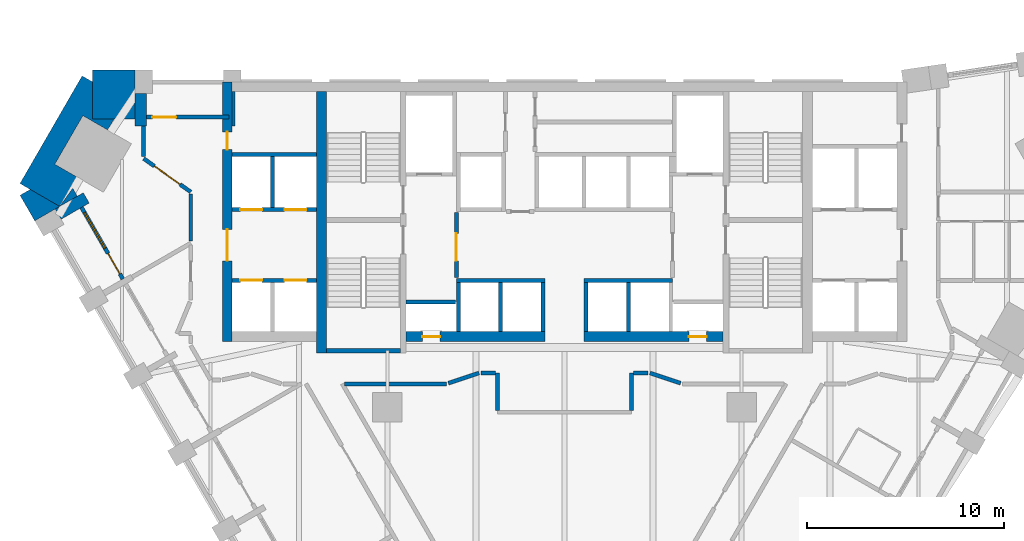
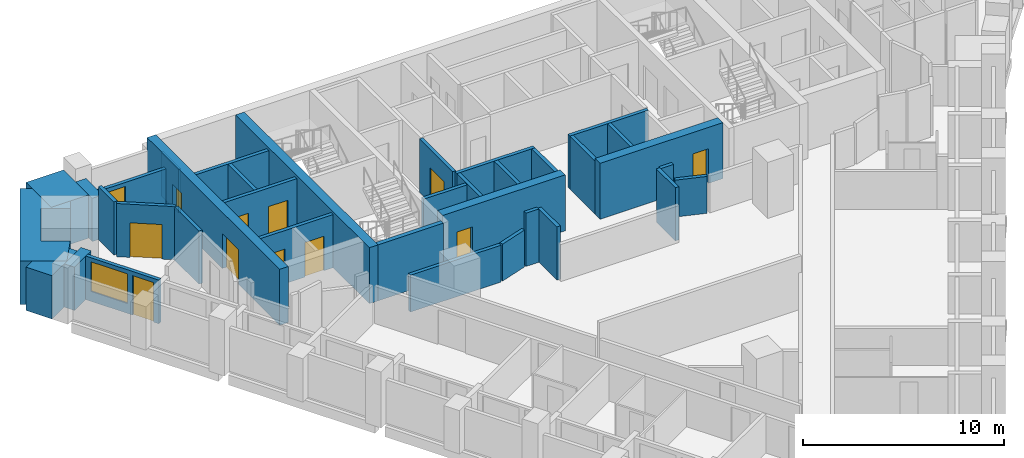
# One storey, part 6 of 11: 37 walls, 12 doors, 1 window, 13 openings.
"""IFC4 building model written with IfcOpenShell, lengths in metres."""

from ifc_helpers import new_model, si_unit, direction, frame, frame_2d, origin, place, context, subcontext, project, spatial, polyline, rectangle, outline, extrude, material, layer, layer_set, type_object, element, fill, save


model = new_model("IFC4")

# Units and contexts
model_context = context("Model", 3, precision=1e-05, world=origin(), true_north=direction((0.0, 1.0)))
body_context = subcontext(model_context, "Body", "Model", "MODEL_VIEW")
ifc_project = project(units=[si_unit("LENGTHUNIT", "METRE"), si_unit("AREAUNIT", "SQUARE_METRE"), si_unit("VOLUMEUNIT", "CUBIC_METRE"), si_unit("PLANEANGLEUNIT", "RADIAN"), si_unit("MASSUNIT", "GRAM", prefix="KILO")], contexts=[model_context])

# Site, building, storey
site_placement = place(None, origin())
site = spatial("IfcSite", under=ifc_project, at=site_placement, CompositionType="ELEMENT")
building_placement = place(site_placement, origin())
building = spatial("IfcBuilding", under=site, at=building_placement, Name="Calabash Gate Tower", CompositionType="ELEMENT")
storey_placement = place(building_placement, frame((0.0, 0.0, 129.199951171875)))
storey = spatial("IfcBuildingStorey", under=building, at=storey_placement, Name="L30", CompositionType="ELEMENT", Elevation=129.199951171875)

# Walls
ifc_material_1 = material(Name="Terracotta brick masonry, exposed face", Category="masonry")
ifc_layer_1 = layer(ifc_material_1, 2.5)
ifc_layer_set_1 = layer_set([ifc_layer_1], Name="Brick corner mass wall 2500")
wall_type_1 = type_object("IfcWallType", Name="Brick corner mass wall 2500", PredefinedType="SOLIDWALL", material=ifc_layer_set_1)
wall_1_placement = place(storey_placement, origin())
element("IfcWall", 1, at=wall_1_placement, inside=storey, type_object=wall_type_1, Name="Brick corner pier S08 3a", PredefinedType="SOLIDWALL", context=body_context, shape_type="SweptSolid", body=[
    extrude(outline(polyline([(-24.00390625, 17.152587890625), (-21.846923828125, 17.152587890625), (-21.846923828125, 18.452880859375), (-21.846923828125, 18.452880859375), (-21.846923828125, 19.652587890625), (-24.00390625, 19.652587890625), (-24.00390625, 17.152587890625)])), origin(), (0.0, 0.0, 1.0), 2.630126953125),
])
wall_2_placement = place(storey_placement, origin())
element("IfcWall", 2, at=wall_2_placement, inside=storey, type_object=wall_type_1, Name="Brick corner pier S08 3b", PredefinedType="SOLIDWALL", context=body_context, shape_type="SweptSolid", body=[
    extrude(outline(polyline([(-23.22509765625, 16.601318359375), (-22.906982421875, 17.152587890625), (-24.00390625, 17.152587890625), (-24.00390625, 19.052490234375), (-24.5234375, 19.3525390625), (-27.68212890625, 13.8818359375), (-25.6640625, 12.716796875), (-24.650146484375, 14.13330078125), (-25.90966796875, 14.8603515625), (-24.484619140625, 17.32861328125), (-23.22509765625, 16.601318359375)])), origin(), (0.0, 0.0, 1.0), 2.630126953125),
])
wall_3_placement = place(storey_placement, origin())
element("IfcWall", 3, at=wall_3_placement, inside=storey, type_object=wall_type_1, Name="Brick corner pier S08 3ca", PredefinedType="SOLIDWALL", context=body_context, shape_type="SweptSolid", body=[
    extrude(outline(polyline([(-27.162353515625, 13.581787109375), (-27.68212890625, 13.28173828125), (-26.932861328125, 11.984130859375), (-25.6640625, 12.716796875), (-27.162353515625, 13.581787109375)])), origin(), (0.0, 0.0, 1.0), 2.630126953125),
])
wall_4_placement = place(storey_placement, origin())
element("IfcWall", 4, at=wall_4_placement, inside=storey, type_object=wall_type_1, Name="Brick corner pier S08 3cb", PredefinedType="SOLIDWALL", context=body_context, shape_type="SweptSolid", body=[
    extrude(outline(polyline([(-24.767822265625, 13.234130859375), (-25.00244140625, 13.640869140625), (-25.6640625, 12.716796875), (-24.767822265625, 13.234130859375)])), origin(), (0.0, 0.0, 1.0), 2.630126953125),
])
ifc_material_2 = material(Name="Terracotta brick masonry, exposed face", Category="masonry")
ifc_layer_2 = layer(ifc_material_2, 0.300048828125)
ifc_layer_set_2 = layer_set([ifc_layer_2], Name="Brick loggia cheek wall 300")
wall_type_2 = type_object("IfcWallType", Name="Brick loggia cheek wall 300", PredefinedType="SOLIDWALL", material=ifc_layer_set_2)
wall_5_placement = place(storey_placement, frame((-25.74365234375, 12.32421875, 0.0), z_axis=(0.0, 0.0, 1.0), x_axis=(0.865976140824, 0.500085316245, 0.0)))
element("IfcWall", 5, at=wall_5_placement, inside=storey, type_object=wall_type_2, Name="Loggia cheek S08 SW0.0", PredefinedType="SOLIDWALL", context=body_context, shape_type="SweptSolid", body=[
    extrude(rectangle(XDim=1.650146484375, YDim=0.60009765625, at=frame_2d((0.8251953125, 0.0))), origin(), (0.0, 0.0, 1.0), 2.630126953125),
])
wall_6_placement = place(storey_placement, origin())
element("IfcWall", 6, at=wall_6_placement, inside=storey, type_object=wall_type_2, Name="Loggia cheek S08 N6.7", PredefinedType="SOLIDWALL", context=body_context, shape_type="SweptSolid", body=[
    extrude(outline(polyline([(-16.89990234375, 18.5546875), (-16.746826171875, 18.5546875), (-16.746826171875, 16.802490234375), (-16.89990234375, 16.802490234375), (-16.89990234375, 18.5546875)])), origin(), (0.0, 0.0, 1.0), 2.650146484375),
])
wall_7_placement = place(storey_placement, origin())
element("IfcWall", 7, at=wall_7_placement, inside=storey, type_object=wall_type_2, Name="Loggia cheek S08 N6.8", PredefinedType="SOLIDWALL", context=body_context, shape_type="SweptSolid", body=[
    extrude(outline(polyline([(-21.846923828125, 18.45263671875), (-21.846923828125, 16.802490234375), (-21.246826171875, 16.802490234375), (-21.246826171875, 18.45263671875), (-21.846923828125, 18.45263671875)])), origin(), (0.0, 0.0, 1.0), 2.630126953125),
])
ifc_material_3 = material(Name="Concrete C80/95", Category="concrete")
ifc_layer_3 = layer(ifc_material_3, 0.25)
ifc_layer_set_3 = layer_set([ifc_layer_3], Name="Core wall 250 Concrete C80/95")
wall_type_3 = type_object("IfcWallType", Name="Core wall 250 Concrete C80/95", PredefinedType="SHEAR", material=ifc_layer_set_3)
wall_8_placement = place(storey_placement, frame((-12.10009765625, 5.377685546875, 0.0), z_axis=(0.0, 0.0, 1.0), x_axis=(1.0, 0.0, 0.0)))
element("IfcWall", 8, at=wall_8_placement, inside=storey, type_object=wall_type_3, Name="Core wall Z2-SSW L30", PredefinedType="SHEAR", context=body_context, shape_type="SweptSolid", body=[
    extrude(rectangle(XDim=3.75, YDim=0.25, at=frame_2d((1.875, 0.0))), origin(), (0.0, 0.0, 1.0), 3.400146484375),
])
ifc_material_4 = material(Name="Concrete C80/95", Category="concrete")
ifc_layer_4 = layer(ifc_material_4, 0.5)
ifc_layer_set_4 = layer_set([ifc_layer_4], Name="Core wall 500 Concrete C80/95")
wall_type_4 = type_object("IfcWallType", Name="Core wall 500 Concrete C80/95", PredefinedType="SHEAR", material=ifc_layer_set_4)
wall_9_placement = place(storey_placement, frame((-12.35009765625, 5.252685546875, 0.0), z_axis=(0.0, 0.0, 1.0), x_axis=(0.0, 1.0, 0.0)))
element("IfcWall", 9, at=wall_9_placement, inside=storey, type_object=wall_type_4, Name="Core wall Z2-COLW L30", PredefinedType="SHEAR", context=body_context, shape_type="SweptSolid", body=[
    extrude(rectangle(XDim=13.2998046875, YDim=0.5, at=frame_2d((6.64990234375, 0.0))), origin(), (0.0, 0.0, 1.0), 3.400146484375),
])

# Wall, opening, door
wall_10_placement = place(storey_placement, frame((-8.050048828125, 6.1025390625, 0.0), z_axis=(0.0, 0.0, 1.0), x_axis=(1.0, 0.0, 0.0)))
wall_10 = element("IfcWall", 10, at=wall_10_placement, inside=storey, type_object=wall_type_4, Name="Core wall Z2-SA L30", PredefinedType="SHEAR", context=body_context, shape_type="SweptSolid", body=[
    extrude(rectangle(XDim=7.050048828125, YDim=0.5, at=frame_2d((3.52490234375, 0.0))), origin(), (0.0, 0.0, 1.0), 3.400146484375),
])
opening_1_placement = place(wall_10_placement, frame((0.824951171875, 0.0, 0.0)))
opening_1 = element("IfcOpeningElement", 11, at=opening_1_placement, cuts=wall_10, Name="Opening H8-012", PredefinedType="OPENING", context=body_context, shape_type="SweptSolid", body=[
    extrude(rectangle(XDim=0.89990234375, YDim=2.10009765625, at=frame_2d((0.449951171875, 1.050048828125))), frame((0.0, 0.260009765625, 0.0), z_axis=(0.0, -1.0, 0.0), x_axis=(1.0, 0.0, 0.0)), (0.0, 0.0, 1.0), 0.52001953125),
])
ifc_material_5 = material(Name="Steel fire door set with fire-resisting glazing", Category="steel")
door_type_1 = type_object("IfcDoorType", Name="Fire door D07 900x2100 FD90", OperationType="NOTDEFINED", PredefinedType="DOOR", material=ifc_material_5)
door_1_placement = place(opening_1_placement, origin())
door_1 = element("IfcDoor", 12, at=door_1_placement, inside=storey, type_object=door_type_1, Name="Electrical Riser W door", OperationType="SINGLE_SWING_LEFT", OverallHeight=2.10009765625, OverallWidth=0.89990234375, PredefinedType="DOOR", context=body_context, shape_type="SweptSolid", body=[
    extrude(rectangle(XDim=0.89990234375, YDim=2.10009765625, at=frame_2d((0.449951171875, 1.050048828125))), frame((0.0, 0.02490234375, 0.0), z_axis=(0.0, -1.0, 0.0), x_axis=(1.0, 0.0, 0.0)), (0.0, 0.0, 1.0), 0.050048828125),
])
fill(opening_1, door_1)

wall_11_placement = place(storey_placement, frame((1.0, 6.1025390625, 0.0), z_axis=(0.0, 0.0, 1.0), x_axis=(1.0, 0.0, 0.0)))
wall_11 = element("IfcWall", 13, at=wall_11_placement, inside=storey, type_object=wall_type_4, Name="Core wall Z2-SB L30", PredefinedType="SHEAR", context=body_context, shape_type="SweptSolid", body=[
    extrude(rectangle(XDim=7.050048828125, YDim=0.5, at=frame_2d((3.52490234375, 0.0))), origin(), (0.0, 0.0, 1.0), 3.400146484375),
])
opening_2_placement = place(wall_11_placement, frame((5.324951171875, 0.0, 0.0)))
opening_2 = element("IfcOpeningElement", 14, at=opening_2_placement, cuts=wall_11, Name="Opening H8-011", PredefinedType="OPENING", context=body_context, shape_type="SweptSolid", body=[
    extrude(rectangle(XDim=0.89990234375, YDim=2.10009765625, at=frame_2d((0.449951171875, 1.050048828125))), frame((0.0, 0.260009765625, 0.0), z_axis=(0.0, -1.0, 0.0), x_axis=(1.0, 0.0, 0.0)), (0.0, 0.0, 1.0), 0.52001953125),
])
door_2_placement = place(opening_2_placement, origin())
door_2 = element("IfcDoor", 15, at=door_2_placement, inside=storey, type_object=door_type_1, Name="Mechanical Riser E door", OperationType="SINGLE_SWING_RIGHT", OverallHeight=2.10009765625, OverallWidth=0.89990234375, PredefinedType="DOOR", context=body_context, shape_type="SweptSolid", body=[
    extrude(rectangle(XDim=0.89990234375, YDim=2.10009765625, at=frame_2d((0.449951171875, 1.050048828125))), frame((0.0, 0.02490234375, 0.0), z_axis=(0.0, -1.0, 0.0), x_axis=(1.0, 0.0, 0.0)), (0.0, 0.0, 1.0), 0.050048828125),
])
fill(opening_2, door_2)

# Wall, openings, doors
wall_12_placement = place(storey_placement, frame((-17.14990234375, 5.8525390625, 0.0), z_axis=(0.0, 0.0, 1.0), x_axis=(0.0, 1.0, 0.0)))
wall_12 = element("IfcWall", 16, at=wall_12_placement, inside=storey, type_object=wall_type_4, Name="Core wall Z2-ENDW L30", PredefinedType="SHEAR", context=body_context, shape_type="SweptSolid", body=[
    extrude(rectangle(XDim=13.199951171875, YDim=0.5, at=frame_2d((6.60009765625, 0.0))), origin(), (0.0, 0.0, 1.0), 3.400146484375),
])
opening_3_placement = place(wall_12_placement, frame((4.10009765625, 0.0, 0.0)))
opening_3 = element("IfcOpeningElement", 17, at=opening_3_placement, cuts=wall_12, Name="Opening H8-003", PredefinedType="OPENING", context=body_context, shape_type="SweptSolid", body=[
    extrude(rectangle(XDim=1.60009765625, YDim=2.10009765625, at=frame_2d((0.800048828125, 1.050048828125))), frame((0.0, 0.260009765625, 0.0), z_axis=(0.0, -1.0, 0.0), x_axis=(1.0, 0.0, 0.0)), (0.0, 0.0, 1.0), 0.52001953125),
])
opening_4_placement = place(wall_12_placement, frame((9.75, 0.0, 0.0)))
opening_4 = element("IfcOpeningElement", 18, at=opening_4_placement, cuts=wall_12, Name="Opening H8-004", PredefinedType="OPENING", context=body_context, shape_type="SweptSolid", body=[
    extrude(rectangle(XDim=0.89990234375, YDim=2.10009765625, at=frame_2d((0.449951171875, 1.050048828125))), frame((0.0, 0.260009765625, 0.0), z_axis=(0.0, -1.0, 0.0), x_axis=(1.0, 0.0, 0.0)), (0.0, 0.0, 1.0), 0.52001953125),
])
ifc_material_6 = material(Name="Steel fire door set with fire-resisting glazing", Category="steel")
door_type_2 = type_object("IfcDoorType", Name="Double fire door D08 1600x2100 FD60", OperationType="DOUBLE_DOOR_SINGLE_SWING", PredefinedType="DOOR", material=ifc_material_6)
door_3_placement = place(opening_3_placement, origin())
door_3 = element("IfcDoor", 19, at=door_3_placement, inside=storey, type_object=door_type_2, Name="Low-rise Lift Lobby W door", OperationType="DOUBLE_DOOR_SINGLE_SWING", OverallHeight=2.10009765625, OverallWidth=1.60009765625, PredefinedType="DOOR", context=body_context, shape_type="SweptSolid", body=[
    extrude(rectangle(XDim=1.60009765625, YDim=2.10009765625, at=frame_2d((0.800048828125, 1.050048828125))), frame((0.0, 0.02490234375, 0.0), z_axis=(0.0, -1.0, 0.0), x_axis=(1.0, 0.0, 0.0)), (0.0, 0.0, 1.0), 0.050048828125),
])
fill(opening_3, door_3)
ifc_material_7 = material(Name="Steel fire door set with fire-resisting glazing", Category="steel")
door_type_3 = type_object("IfcDoorType", Name="Fire door D06 900x2100 FD60", OperationType="NOTDEFINED", PredefinedType="DOOR", material=ifc_material_7)
door_4_placement = place(opening_4_placement, origin())
door_4 = element("IfcDoor", 20, at=door_4_placement, inside=storey, type_object=door_type_3, Name="Luggage Store door", OperationType="SINGLE_SWING_RIGHT", OverallHeight=2.10009765625, OverallWidth=0.89990234375, PredefinedType="DOOR", context=body_context, shape_type="SweptSolid", body=[
    extrude(rectangle(XDim=0.89990234375, YDim=2.10009765625, at=frame_2d((0.449951171875, 1.050048828125))), frame((0.0, 0.02490234375, 0.0), z_axis=(0.0, -1.0, 0.0), x_axis=(1.0, 0.0, 0.0)), (0.0, 0.0, 1.0), 0.050048828125),
])
fill(opening_4, door_4)

# Walls
ifc_material_8 = material(Name="Gypsum board on steel studs, mineral wool", Category="steel")
ifc_layer_5 = layer(ifc_material_8, 0.199951171875)
ifc_layer_set_5 = layer_set([ifc_layer_5], Name="Partition 200 gypsum board EI 60")
wall_type_5 = type_object("IfcWallType", Name="Partition 200 gypsum board EI 60", PredefinedType="PARTITIONING", material=ifc_layer_set_5)
wall_13_placement = place(storey_placement, frame((-3.402099609375, 4.25048828125, 0.0), z_axis=(0.0, 0.0, 1.0), x_axis=(0.001028938362, -0.999999470643, 0.0)))
element("IfcWall", 21, at=wall_13_placement, inside=storey, type_object=wall_type_5, Name="Partition", PredefinedType="PARTITIONING", context=body_context, shape_type="SweptSolid", body=[
    extrude(rectangle(XDim=1.898193359375, YDim=0.199951171875, at=frame_2d((0.94921875, 0.0))), origin(), (0.0, 0.0, 1.0), 3.22998046875),
])
wall_14_placement = place(storey_placement, frame((-11.1953125, 3.69970703125, 0.0), z_axis=(0.0, 0.0, 1.0), x_axis=(1.0, 0.0, 0.0)))
element("IfcWall", 22, at=wall_14_placement, inside=storey, type_object=wall_type_5, Name="Partition", PredefinedType="PARTITIONING", context=body_context, shape_type="SweptSolid", body=[
    extrude(rectangle(XDim=5.1953125, YDim=0.199951171875, at=frame_2d((2.59765625, 0.0))), origin(), (0.0, 0.0, 1.0), 2.24169921875),
])
for number, where, z_axis, x_axis, name in (
    (23, (4.34228515625, 4.25244140625, 0.0), (0.0, 0.0, 1.0), (0.948668476379, -0.316272227557, 0.0), "Partition"),
    (24, (-5.905029296875, 3.7314453125, 0.0), (0.0, 0.0, 1.0), (0.948668476379, 0.316272227557, 0.0), "Partition"),
):
    element("IfcWall", number, at=place(storey_placement, frame(where, z_axis=z_axis, x_axis=x_axis)), inside=storey, type_object=wall_type_5, Name=name, PredefinedType="PARTITIONING", context=body_context, shape_type="SweptSolid", body=[
        extrude(rectangle(XDim=1.647216796875, YDim=0.199951171875, at=frame_2d((0.82373046875, 0.0))), origin(), (0.0, 0.0, 1.0), 2.24169921875),
    ])
wall_15_placement = place(storey_placement, frame((-4.2421875, 4.252197265625, 0.0), z_axis=(0.0, 0.0, 1.0), x_axis=(0.999998041999, -0.001978887946, 0.0)))
element("IfcWall", 25, at=wall_15_placement, inside=storey, type_object=wall_type_5, Name="Partition", PredefinedType="PARTITIONING", context=body_context, shape_type="SweptSolid", body=[
    extrude(rectangle(XDim=0.740234375, YDim=0.199951171875, at=frame_2d((0.3701171875, 0.0))), origin(), (0.0, 0.0, 1.0), 3.22998046875),
])
wall_16_placement = place(storey_placement, frame((3.400146484375, 2.352294921875, 0.0), z_axis=(0.0, 0.0, 1.0), x_axis=(0.001028938362, 0.999999470643, 0.0)))
element("IfcWall", 26, at=wall_16_placement, inside=storey, type_object=wall_type_5, Name="Partition", PredefinedType="PARTITIONING", context=body_context, shape_type="SweptSolid", body=[
    extrude(rectangle(XDim=1.898193359375, YDim=0.199951171875, at=frame_2d((0.94921875, 0.0))), origin(), (0.0, 0.0, 1.0), 3.22998046875),
])
wall_17_placement = place(storey_placement, frame((3.501953125, 4.250732421875, 0.0), z_axis=(0.0, 0.0, 1.0), x_axis=(0.999998041999, 0.001978887946, 0.0)))
element("IfcWall", 27, at=wall_17_placement, inside=storey, type_object=wall_type_5, Name="Partition", PredefinedType="PARTITIONING", context=body_context, shape_type="SweptSolid", body=[
    extrude(rectangle(XDim=0.740234375, YDim=0.199951171875, at=frame_2d((0.3701171875, 0.0))), origin(), (0.0, 0.0, 1.0), 3.22998046875),
])
wall_18_placement = place(storey_placement, frame((-19.001953125, 10.947265625, 0.0), z_axis=(0.0, 0.0, 1.0), x_axis=(0.000609075108, 0.999999814514, 0.0)))
element("IfcWall", 28, at=wall_18_placement, inside=storey, type_object=wall_type_5, Name="Partition", PredefinedType="PARTITIONING", context=body_context, shape_type="SweptSolid", body=[
    extrude(rectangle(XDim=2.405029296875, YDim=0.199951171875, at=frame_2d((1.20263671875, 0.0))), origin(), (0.0, 0.0, 1.0), 3.22998046875),
])

# Wall, opening, door
wall_19_placement = place(storey_placement, frame((-21.397216796875, 15.152099609375, 0.0), z_axis=(0.0, 0.0, 1.0), x_axis=(0.815699386654, -0.578476024232, 0.0)))
wall_19 = element("IfcWall", 29, at=wall_19_placement, inside=storey, type_object=wall_type_5, Name="Partition", PredefinedType="PARTITIONING", context=body_context, shape_type="SweptSolid", body=[
    extrude(rectangle(XDim=2.938232421875, YDim=0.199951171875, at=frame_2d((1.46923828125, 0.0))), origin(), (0.0, 0.0, 1.0), 3.22998046875),
])
opening_5_placement = place(wall_19_placement, frame((0.669189453125, 0.0, 0.0)))
opening_5 = element("IfcOpeningElement", 30, at=opening_5_placement, cuts=wall_19, Name="Opening 28-30-020", PredefinedType="OPENING", context=body_context, shape_type="SweptSolid", body=[
    extrude(rectangle(XDim=1.60009765625, YDim=2.10009765625, at=frame_2d((0.800048828125, 1.050048828125))), frame((0.0, 0.10986328125, 0.0), z_axis=(0.0, -1.0, 0.0), x_axis=(1.0, 0.0, 0.0)), (0.0, 0.0, 1.0), 0.219970703125),
])
ifc_material_9 = material(Name="Steel fire door set with fire-resisting glazing", Category="steel")
door_type_4 = type_object("IfcDoorType", Name="LD1 Lounge double door 1600x2100", OperationType="NOTDEFINED", PredefinedType="DOOR", material=ifc_material_9)
door_5_placement = place(opening_5_placement, origin())
door_5 = element("IfcDoor", 31, at=door_5_placement, inside=storey, type_object=door_type_4, Name="Lounge double door", OperationType="DOUBLE_DOOR_SINGLE_SWING", OverallHeight=2.10009765625, OverallWidth=1.60009765625, PredefinedType="DOOR", context=body_context, shape_type="SweptSolid", body=[
    extrude(rectangle(XDim=1.60009765625, YDim=2.10009765625, at=frame_2d((0.800048828125, 1.050048828125))), frame((0.0, 0.02490234375, 0.0), z_axis=(0.0, -1.0, 0.0), x_axis=(1.0, 0.0, 0.0)), (0.0, 0.0, 1.0), 0.050048828125),
])
fill(opening_5, door_5)

# Walls
wall_20_placement = place(storey_placement, frame((-21.3974609375, 16.802490234375, 0.0), z_axis=(0.0, 0.0, 1.0), x_axis=(0.000157480313, -0.9999999876, 0.0)))
element("IfcWall", 32, at=wall_20_placement, inside=storey, type_object=wall_type_5, Name="Partition", PredefinedType="PARTITIONING", context=body_context, shape_type="SweptSolid", body=[
    extrude(rectangle(XDim=1.55029296875, YDim=0.199951171875, at=frame_2d((0.775146484375, 0.0))), origin(), (0.0, 0.0, 1.0), 3.22998046875),
])
ifc_material_10 = material(Name="Concrete C40/50", Category="concrete")
ifc_layer_6 = layer(ifc_material_10, 0.199951171875)
ifc_layer_set_6 = layer_set([ifc_layer_6], Name="Shaft wall 200 Concrete C40/50")
wall_type_6 = type_object("IfcWallType", Name="Shaft wall 200 Concrete C40/50", PredefinedType="SOLIDWALL", material=ifc_layer_set_6)
for number, where, z_axis, x_axis, name in (
    (33, (-5.39990234375, 6.3525390625, 0.0), (0.0, 0.0, 1.0), (0.0, 1.0, 0.0), "Shaft wall"),
    (34, (-3.25, 6.3525390625, 0.0), (0.0, 0.0, 1.0), (0.0, 1.0, 0.0), "Shaft wall"),
    (35, (-1.10009765625, 6.3525390625, 0.0), (0.0, 0.0, 1.0), (0.0, 1.0, 0.0), "Shaft wall"),
    (36, (1.10009765625, 6.3525390625, 0.0), (0.0, 0.0, 1.0), (0.0, 1.0, 0.0), "Shaft wall"),
    (37, (3.25, 6.3525390625, 0.0), (0.0, 0.0, 1.0), (0.0, 1.0, 0.0), "Shaft wall"),
    (38, (-8.050048828125, 7.8525390625, 0.0), (0.0, 0.0, 1.0), (1.0, 0.0, 0.0), "Shaft wall"),
):
    element("IfcWall", number, at=place(storey_placement, frame(where, z_axis=z_axis, x_axis=x_axis)), inside=storey, type_object=wall_type_6, Name=name, PredefinedType="SOLIDWALL", context=body_context, shape_type="SweptSolid", body=[
        extrude(rectangle(XDim=2.5, YDim=0.199951171875, at=frame_2d((1.25, 0.0))), origin(), (0.0, 0.0, 1.0), 3.22998046875),
    ])

# Wall, openings, doors
wall_21_placement = place(storey_placement, frame((-16.89990234375, 8.95263671875, 0.0), z_axis=(0.0, 0.0, 1.0), x_axis=(1.0, 0.0, 0.0)))
wall_21 = element("IfcWall", 39, at=wall_21_placement, inside=storey, type_object=wall_type_6, Name="Shaft wall", PredefinedType="SOLIDWALL", context=body_context, shape_type="SweptSolid", body=[
    extrude(rectangle(XDim=4.2998046875, YDim=0.199951171875, at=frame_2d((2.14990234375, 0.0))), origin(), (0.0, 0.0, 1.0), 3.22998046875),
])
opening_6_placement = place(wall_21_placement, frame((2.675048828125, 0.0, 0.0)))
opening_6 = element("IfcOpeningElement", 40, at=opening_6_placement, cuts=wall_21, Name="Opening LD-LR1", PredefinedType="OPENING", context=body_context, shape_type="SweptSolid", body=[
    extrude(rectangle(XDim=1.10009765625, YDim=2.10009765625, at=frame_2d((0.550048828125, 1.050048828125))), frame((0.0, 0.10986328125, 0.0), z_axis=(0.0, -1.0, 0.0), x_axis=(1.0, 0.0, 0.0)), (0.0, 0.0, 1.0), 0.219970703125),
])
opening_7_placement = place(wall_21_placement, frame((0.425048828125, 0.0, 0.0)))
opening_7 = element("IfcOpeningElement", 41, at=opening_7_placement, cuts=wall_21, Name="Opening LD-LR2", PredefinedType="OPENING", context=body_context, shape_type="SweptSolid", body=[
    extrude(rectangle(XDim=1.10009765625, YDim=2.10009765625, at=frame_2d((0.550048828125, 1.050048828125))), frame((0.0, 0.10986328125, 0.0), z_axis=(0.0, -1.0, 0.0), x_axis=(1.0, 0.0, 0.0)), (0.0, 0.0, 1.0), 0.219970703125),
])
ifc_material_11 = material(Name="Stainless steel sliding door leaves", Category="steel")
door_type_5 = type_object("IfcDoorType", Name="Lift landing door LS1 1100x2100 FD90", OperationType="DOUBLE_DOOR_SLIDING", PredefinedType="DOOR", material=ifc_material_11)
door_6_placement = place(opening_6_placement, origin())
door_6 = element("IfcDoor", 42, at=door_6_placement, inside=storey, type_object=door_type_5, Name="Lift landing door LR1", OperationType="DOUBLE_DOOR_SLIDING", OverallHeight=2.10009765625, OverallWidth=1.10009765625, PredefinedType="DOOR", context=body_context, shape_type="SweptSolid", body=[
    extrude(rectangle(XDim=1.10009765625, YDim=2.10009765625, at=frame_2d((0.550048828125, 1.050048828125))), frame((0.0, 0.02490234375, 0.0), z_axis=(0.0, -1.0, 0.0), x_axis=(1.0, 0.0, 0.0)), (0.0, 0.0, 1.0), 0.050048828125),
])
fill(opening_6, door_6)
door_7_placement = place(opening_7_placement, origin())
door_7 = element("IfcDoor", 43, at=door_7_placement, inside=storey, type_object=door_type_5, Name="Lift landing door LR2", OperationType="DOUBLE_DOOR_SLIDING", OverallHeight=2.10009765625, OverallWidth=1.10009765625, PredefinedType="DOOR", context=body_context, shape_type="SweptSolid", body=[
    extrude(rectangle(XDim=1.10009765625, YDim=2.10009765625, at=frame_2d((0.550048828125, 1.050048828125))), frame((0.0, 0.02490234375, 0.0), z_axis=(0.0, -1.0, 0.0), x_axis=(1.0, 0.0, 0.0)), (0.0, 0.0, 1.0), 0.050048828125),
])
fill(opening_7, door_7)

# Walls
for number, where, z_axis, x_axis, name in (
    (44, (-5.5, 8.95263671875, 0.0), (0.0, 0.0, 1.0), (1.0, 0.0, 0.0), "Shaft wall"),
    (45, (1.0, 8.95263671875, 0.0), (0.0, 0.0, 1.0), (1.0, 0.0, 0.0), "Shaft wall"),
):
    element("IfcWall", number, at=place(storey_placement, frame(where, z_axis=z_axis, x_axis=x_axis)), inside=storey, type_object=wall_type_6, Name=name, PredefinedType="SOLIDWALL", context=body_context, shape_type="SweptSolid", body=[
        extrude(rectangle(XDim=4.5, YDim=0.199951171875, at=frame_2d((2.25, 0.0))), origin(), (0.0, 0.0, 1.0), 3.22998046875),
    ])

# Wall, opening, door
wall_22_placement = place(storey_placement, frame((-5.5, 9.1025390625, 0.0), z_axis=(0.0, 0.0, 1.0), x_axis=(0.0, 1.0, 0.0)))
wall_22 = element("IfcWall", 46, at=wall_22_placement, inside=storey, type_object=wall_type_6, Name="Shaft wall", PredefinedType="SOLIDWALL", context=body_context, shape_type="SweptSolid", body=[
    extrude(rectangle(XDim=3.300048828125, YDim=0.199951171875, at=frame_2d((1.64990234375, 0.0))), origin(), (0.0, 0.0, 1.0), 3.22998046875),
])
opening_8_placement = place(wall_22_placement, frame((0.85009765625, 0.0, 0.0)))
opening_8 = element("IfcOpeningElement", 47, at=opening_8_placement, cuts=wall_22, Name="Opening H8-007", PredefinedType="OPENING", context=body_context, shape_type="SweptSolid", body=[
    extrude(rectangle(XDim=1.39990234375, YDim=2.10009765625, at=frame_2d((0.699951171875, 1.050048828125))), frame((0.0, 0.10986328125, 0.0), z_axis=(0.0, -1.0, 0.0), x_axis=(1.0, 0.0, 0.0)), (0.0, 0.0, 1.0), 0.219970703125),
])
ifc_material_12 = material(Name="Steel fire door set with fire-resisting glazing", Category="steel")
door_type_6 = type_object("IfcDoorType", Name="Fire door D05 1400x2100 FD90", OperationType="NOTDEFINED", PredefinedType="DOOR", material=ifc_material_12)
door_8_placement = place(opening_8_placement, origin())
door_8 = element("IfcDoor", 48, at=door_8_placement, inside=storey, type_object=door_type_6, Name="Firefighting Lobby W door", OperationType="SINGLE_SWING_RIGHT", OverallHeight=2.10009765625, OverallWidth=1.39990234375, PredefinedType="DOOR", context=body_context, shape_type="SweptSolid", body=[
    extrude(rectangle(XDim=1.39990234375, YDim=2.10009765625, at=frame_2d((0.699951171875, 1.050048828125))), frame((0.0, 0.02490234375, 0.0), z_axis=(0.0, -1.0, 0.0), x_axis=(1.0, 0.0, 0.0)), (0.0, 0.0, 1.0), 0.050048828125),
])
fill(opening_8, door_8)

# Wall, openings, doors
wall_23_placement = place(storey_placement, frame((-16.89990234375, 12.552490234375, 0.0), z_axis=(0.0, 0.0, 1.0), x_axis=(1.0, 0.0, 0.0)))
wall_23 = element("IfcWall", 49, at=wall_23_placement, inside=storey, type_object=wall_type_6, Name="Shaft wall", PredefinedType="SOLIDWALL", context=body_context, shape_type="SweptSolid", body=[
    extrude(rectangle(XDim=4.2998046875, YDim=0.199951171875, at=frame_2d((2.14990234375, 0.0))), origin(), (0.0, 0.0, 1.0), 3.22998046875),
])
opening_9_placement = place(wall_23_placement, frame((2.675048828125, 0.0, 0.0)))
opening_9 = element("IfcOpeningElement", 50, at=opening_9_placement, cuts=wall_23, Name="Opening LD-LR3", PredefinedType="OPENING", context=body_context, shape_type="SweptSolid", body=[
    extrude(rectangle(XDim=1.10009765625, YDim=2.10009765625, at=frame_2d((0.550048828125, 1.050048828125))), frame((0.0, 0.10986328125, 0.0), z_axis=(0.0, -1.0, 0.0), x_axis=(1.0, 0.0, 0.0)), (0.0, 0.0, 1.0), 0.219970703125),
])
opening_10_placement = place(wall_23_placement, frame((0.425048828125, 0.0, 0.0)))
opening_10 = element("IfcOpeningElement", 51, at=opening_10_placement, cuts=wall_23, Name="Opening LD-LR4", PredefinedType="OPENING", context=body_context, shape_type="SweptSolid", body=[
    extrude(rectangle(XDim=1.10009765625, YDim=2.10009765625, at=frame_2d((0.550048828125, 1.050048828125))), frame((0.0, 0.10986328125, 0.0), z_axis=(0.0, -1.0, 0.0), x_axis=(1.0, 0.0, 0.0)), (0.0, 0.0, 1.0), 0.219970703125),
])
door_9_placement = place(opening_9_placement, origin())
door_9 = element("IfcDoor", 52, at=door_9_placement, inside=storey, type_object=door_type_5, Name="Lift landing door LR3", OperationType="DOUBLE_DOOR_SLIDING", OverallHeight=2.10009765625, OverallWidth=1.10009765625, PredefinedType="DOOR", context=body_context, shape_type="SweptSolid", body=[
    extrude(rectangle(XDim=1.10009765625, YDim=2.10009765625, at=frame_2d((0.550048828125, 1.050048828125))), frame((0.0, 0.02490234375, 0.0), z_axis=(0.0, -1.0, 0.0), x_axis=(1.0, 0.0, 0.0)), (0.0, 0.0, 1.0), 0.050048828125),
])
fill(opening_9, door_9)
door_10_placement = place(opening_10_placement, origin())
door_10 = element("IfcDoor", 53, at=door_10_placement, inside=storey, type_object=door_type_5, Name="Lift landing door LR4", OperationType="DOUBLE_DOOR_SLIDING", OverallHeight=2.10009765625, OverallWidth=1.10009765625, PredefinedType="DOOR", context=body_context, shape_type="SweptSolid", body=[
    extrude(rectangle(XDim=1.10009765625, YDim=2.10009765625, at=frame_2d((0.550048828125, 1.050048828125))), frame((0.0, 0.02490234375, 0.0), z_axis=(0.0, -1.0, 0.0), x_axis=(1.0, 0.0, 0.0)), (0.0, 0.0, 1.0), 0.050048828125),
])
fill(opening_10, door_10)

# Walls
wall_24_placement = place(storey_placement, frame((-14.85009765625, 12.652587890625, 0.0), z_axis=(0.0, 0.0, 1.0), x_axis=(0.0, 1.0, 0.0)))
element("IfcWall", 54, at=wall_24_placement, inside=storey, type_object=wall_type_6, Name="Shaft wall", PredefinedType="SOLIDWALL", context=body_context, shape_type="SweptSolid", body=[
    extrude(rectangle(XDim=2.60009765625, YDim=0.199951171875, at=frame_2d((1.300048828125, 0.0))), origin(), (0.0, 0.0, 1.0), 3.22998046875),
])
wall_25_placement = place(storey_placement, frame((-16.89990234375, 15.3525390625, 0.0), z_axis=(0.0, 0.0, 1.0), x_axis=(1.0, 0.0, 0.0)))
element("IfcWall", 55, at=wall_25_placement, inside=storey, type_object=wall_type_6, Name="Shaft wall", PredefinedType="SOLIDWALL", context=body_context, shape_type="SweptSolid", body=[
    extrude(rectangle(XDim=4.2998046875, YDim=0.199951171875, at=frame_2d((2.14990234375, 0.0))), origin(), (0.0, 0.0, 1.0), 3.22998046875),
])

# Wall, openings, door, window
ifc_material_13 = material(Name="Aluminium framed window wall with insulated spandrel", Category="aluminium")
ifc_layer_7 = layer(ifc_material_13, 0.199951171875)
ifc_layer_set_7 = layer_set([ifc_layer_7], Name="Window wall 200")
wall_type_7 = type_object("IfcWallType", Name="Window wall 200", PredefinedType="ELEMENTEDWALL", material=ifc_layer_set_7)
wall_26_placement = place(storey_placement, frame((-24.554443359375, 12.66455078125, 0.0), z_axis=(0.0, 0.0, 1.0), x_axis=(0.500002543286, -0.866023935413, 0.0)))
wall_26 = element("IfcWall", 56, at=wall_26_placement, inside=storey, type_object=wall_type_7, Name="Window wall S08 SW0.1", PredefinedType="ELEMENTEDWALL", context=body_context, shape_type="SweptSolid", body=[
    extrude(rectangle(XDim=4.2001953125, YDim=0.199951171875, at=frame_2d((2.10009765625, 0.0))), origin(), (0.0, 0.0, 1.0), 2.650146484375),
])
opening_11_placement = place(wall_26_placement, frame((0.300048828125, 0.0, 0.60009765625)))
opening_11 = element("IfcOpeningElement", 57, at=opening_11_placement, cuts=wall_26, Name="Opening HW1", PredefinedType="OPENING", context=body_context, shape_type="SweptSolid", body=[
    extrude(rectangle(XDim=2.10009765625, YDim=1.800048828125, at=frame_2d((1.050048828125, 0.89990234375))), frame((0.0, 0.10986328125, 0.0), z_axis=(0.0, -1.0, 0.0), x_axis=(1.0, 0.0, 0.0)), (0.0, 0.0, 1.0), 0.219970703125),
])
opening_12_placement = place(wall_26_placement, frame((2.699951171875, 0.0, 0.0)))
opening_12 = element("IfcOpeningElement", 58, at=opening_12_placement, cuts=wall_26, Name="Opening H8-026", PredefinedType="OPENING", context=body_context, shape_type="SweptSolid", body=[
    extrude(rectangle(XDim=1.199951171875, YDim=2.39990234375, at=frame_2d((0.60009765625, 1.199951171875))), frame((0.0, 0.10986328125, 0.0), z_axis=(0.0, -1.0, 0.0), x_axis=(1.0, 0.0, 0.0)), (0.0, 0.0, 1.0), 0.219970703125),
])
ifc_material_14 = material(Name="Anodised aluminium frame, bronze finish, impact-rated laminated clear glazing", Category="aluminium")
door_type_7 = type_object("IfcDoorType", Name="Loggia door DH1 1200x2400", OperationType="SLIDING_TO_LEFT", PredefinedType="DOOR", material=ifc_material_14)
door_11_placement = place(opening_12_placement, origin())
door_11 = element("IfcDoor", 59, at=door_11_placement, inside=storey, type_object=door_type_7, Name="Loggia door S08 SW0.1", OperationType="SINGLE_SWING_LEFT", OverallHeight=2.39990234375, OverallWidth=1.199951171875, PredefinedType="DOOR", context=body_context, shape_type="SweptSolid", body=[
    extrude(rectangle(XDim=1.199951171875, YDim=2.39990234375, at=frame_2d((0.60009765625, 1.199951171875))), frame((0.0, 0.02490234375, 0.0), z_axis=(0.0, -1.0, 0.0), x_axis=(1.0, 0.0, 0.0)), (0.0, 0.0, 1.0), 0.050048828125),
])
fill(opening_12, door_11)
ifc_material_15 = material(Name="Anodised aluminium frame, bronze finish, impact-rated laminated clear glazing", Category="aluminium")
window_type = type_object("IfcWindowType", Name="Window HW1 2100x1800", PartitioningType="DOUBLE_PANEL_VERTICAL", PredefinedType="WINDOW", material=ifc_material_15)
window_placement = place(opening_11_placement, origin())
window = element("IfcWindow", 60, at=window_placement, inside=storey, type_object=window_type, Name="Window HW1 S08 SW0.1", OverallHeight=1.800048828125, OverallWidth=2.10009765625, PartitioningType="SINGLE_PANEL", PredefinedType="WINDOW", context=body_context, shape_type="SweptSolid", body=[
    extrude(rectangle(XDim=2.10009765625, YDim=1.800048828125, at=frame_2d((1.050048828125, 0.89990234375))), frame((0.0, 0.030029296875, 0.0), z_axis=(0.0, -1.0, 0.0), x_axis=(1.0, 0.0, 0.0)), (0.0, 0.0, 1.0), 0.06005859375),
])
fill(opening_11, window)

# Wall, opening, door
wall_27_placement = place(storey_placement, frame((-17.046875, 17.25244140625, 0.0), z_axis=(0.0, 0.0, 1.0), x_axis=(-1.0, 0.0, 0.0)))
wall_27 = element("IfcWall", 61, at=wall_27_placement, inside=storey, type_object=wall_type_7, Name="Window wall S08 N6.8", PredefinedType="ELEMENTEDWALL", context=body_context, shape_type="SweptSolid", body=[
    extrude(rectangle(XDim=4.199951171875, YDim=0.199951171875, at=frame_2d((2.10009765625, 0.0))), origin(), (0.0, 0.0, 1.0), 2.650146484375),
])
opening_13_placement = place(wall_27_placement, frame((2.699951171875, 0.0, 0.0)))
opening_13 = element("IfcOpeningElement", 62, at=opening_13_placement, cuts=wall_27, Name="Opening H8-017", PredefinedType="OPENING", context=body_context, shape_type="SweptSolid", body=[
    extrude(rectangle(XDim=1.199951171875, YDim=2.39990234375, at=frame_2d((0.60009765625, 1.199951171875))), frame((0.0, 0.10986328125, 0.0), z_axis=(0.0, -1.0, 0.0), x_axis=(1.0, 0.0, 0.0)), (0.0, 0.0, 1.0), 0.219970703125),
])
door_12_placement = place(opening_13_placement, origin())
door_12 = element("IfcDoor", 63, at=door_12_placement, inside=storey, type_object=door_type_7, Name="Loggia door S08 N6.8", OperationType="SINGLE_SWING_LEFT", OverallHeight=2.39990234375, OverallWidth=1.199951171875, PredefinedType="DOOR", context=body_context, shape_type="SweptSolid", body=[
    extrude(rectangle(XDim=1.199951171875, YDim=2.39990234375, at=frame_2d((0.60009765625, 1.199951171875))), frame((0.0, 0.02490234375, 0.0), z_axis=(0.0, -1.0, 0.0), x_axis=(1.0, 0.0, 0.0)), (0.0, 0.0, 1.0), 0.050048828125),
])
fill(opening_13, door_12)

save(model, "model.ifc")
